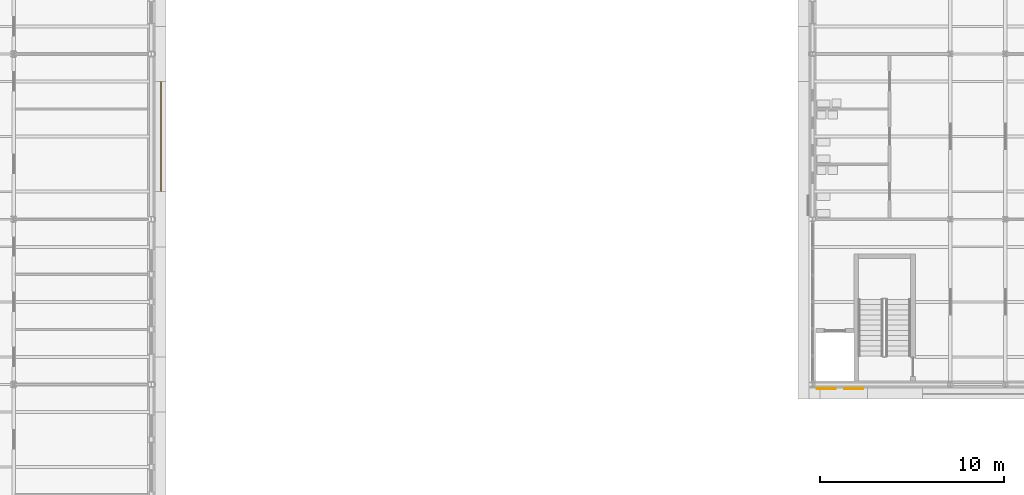
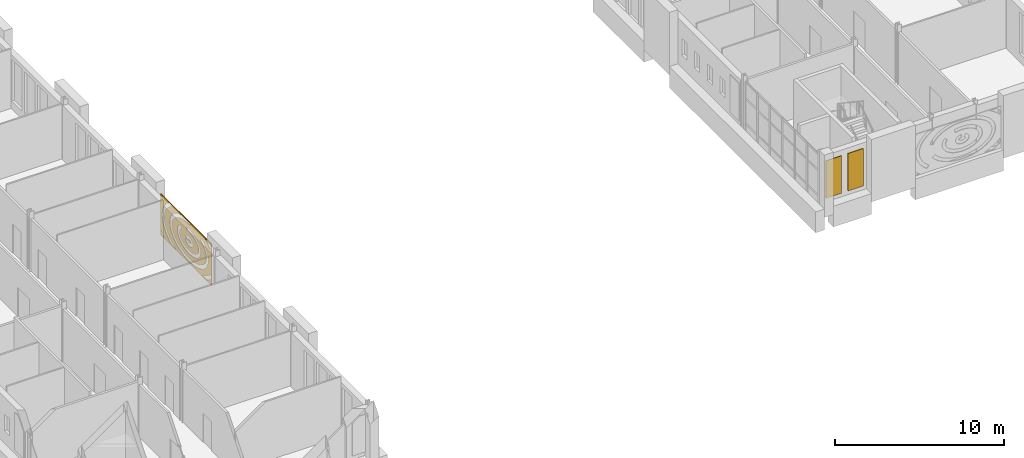
# One storey, part 108 of 131: 3 coverings.
"""IFC4 building model written with IfcOpenShell, lengths in metres."""

from ifc_helpers import new_model, si_unit, direction, frame, origin, place, context, subcontext, project, spatial, polyline, outline, extrude, material, layer, layer_set, type_object, element, save


model = new_model("IFC4")

# Units and contexts
model_context = context("Model", 3, precision=1e-05, world=origin(), true_north=direction((0.0, 1.0)))
body_context = subcontext(model_context, "Body", "Model", "MODEL_VIEW")
ifc_project = project(units=[si_unit("LENGTHUNIT", "METRE"), si_unit("AREAUNIT", "SQUARE_METRE"), si_unit("VOLUMEUNIT", "CUBIC_METRE"), si_unit("PLANEANGLEUNIT", "RADIAN"), si_unit("MASSUNIT", "GRAM", prefix="KILO")], contexts=[model_context])

# Site, building, storey
site_placement = place(None, origin())
site = spatial("IfcSite", under=ifc_project, at=site_placement, CompositionType="ELEMENT")
building_placement = place(site_placement, origin())
building = spatial("IfcBuilding", under=site, at=building_placement, Name="Golden Quay Civic Hall", CompositionType="ELEMENT")
storey_placement = place(building_placement, frame((0.0, 0.0, 9.89990234375)))
storey = spatial("IfcBuildingStorey", under=building, at=storey_placement, Name="L02", CompositionType="ELEMENT", Elevation=9.89990234375)

# Coverings
ifc_material_1 = material(Name="Aluminium, golden anodised, perforated", Category="aluminium")
ifc_layer_1 = layer(ifc_material_1, 0.0400390625)
ifc_layer_set_1 = layer_set([ifc_layer_1], Name="Perforated screen panel 6000 x 3000 x 40")
covering_type_1 = type_object("IfcCoveringType", Name="Perforated screen panel 6000 x 3000 x 40", PredefinedType="CLADDING", material=ifc_layer_set_1)
covering_1_placement = place(storey_placement, frame((18.5, 13.5, 2.10009765625), z_axis=(1.0, 0.0, 0.0), x_axis=(0.0, 1.0, 0.0)))
element("IfcCovering", 1, at=covering_1_placement, inside=storey, type_object=covering_type_1, Name="Perforated screen panel 6000 x 3000 x 40 L02 4", PredefinedType="CLADDING", context=body_context, shape_type="SweptSolid", body=[
    extrude(outline(polyline([(-3.0, -1.5), (3.0, -1.5), (3.0, 1.5), (-3.0, 1.5), (-3.0, -1.5)]), holes=[polyline([(-0.144775390625, 0.115478515625), (-0.1865234375, 0.142333984375), (-0.247802734375, 0.164306640625), (-0.3212890625, 0.175537109375), (-0.372802734375, 0.17578125), (-0.447021484375, 0.16552734375), (-0.509521484375, 0.144287109375), (-0.552978515625, 0.117431640625), (-0.5693359375, 0.100830078125), (-0.576904296875, 0.0888671875), (-0.5791015625, 0.077392578125), (-0.5732421875, 0.064208984375), (-0.560302734375, 0.04931640625), (-0.53759765625, 0.031494140625), (-0.485595703125, 0.006103515625), (-0.417236328125, -0.01123046875), (-0.36669921875, -0.01611328125), (-0.3154296875, -0.01513671875), (-0.265869140625, -0.00830078125), (-0.220703125, 0.00390625), (-0.1826171875, 0.019775390625), (-0.1533203125, 0.03759765625), (-0.128173828125, 0.062255859375), (-0.11865234375, 0.080810546875), (0.100830078125, -0.0185546875), (0.07275390625, -0.07080078125), (0.041015625, -0.110595703125), (-0.0048828125, -0.152099609375), (-0.04443359375, -0.178955078125), (-0.103271484375, -0.208984375), (-0.176513671875, -0.234619140625), (-0.221923828125, -0.2451171875), (-0.300048828125, -0.255615234375), (-0.372314453125, -0.257080078125), (-0.412109375, -0.254638671875), (-0.4970703125, -0.2412109375), (-0.56396484375, -0.221923828125), (-0.599365234375, -0.2080078125), (-0.6650390625, -0.173095703125), (-0.7041015625, -0.14501953125), (-0.73193359375, -0.1201171875), (-0.757080078125, -0.092041015625), (-0.779052734375, -0.061279296875), (-0.796875, -0.027587890625), (-0.81005859375, 0.00830078125), (-0.81982421875, 0.06640625), (-0.816650390625, 0.122802734375), (-0.8076171875, 0.159423828125), (-0.793701171875, 0.194091796875), (-0.775634765625, 0.226318359375), (-0.75390625, 0.255859375), (-0.701904296875, 0.306884765625), (-0.640869140625, 0.347412109375), (-0.572509765625, 0.37890625), (-0.498779296875, 0.40087890625), (-0.46044921875, 0.408447265625), (-0.388916015625, 0.416259765625), (-0.309326171875, 0.416259765625), (-0.2626953125, 0.411865234375), (-0.185302734375, 0.39697265625), (-0.11962890625, 0.375732421875), (-0.076904296875, 0.356689453125), (-0.020751953125, 0.32373046875), (0.01708984375, 0.2939453125), (0.05908203125, 0.24951171875), (-0.124755859375, 0.093994140625), (-0.144775390625, 0.115478515625)]), polyline([(-0.282470703125, 0.7333984375), (-0.37158203125, 0.734375), (-0.460693359375, 0.731201171875), (-0.549072265625, 0.72412109375), (-0.635986328125, 0.712646484375), (-0.721435546875, 0.697021484375), (-0.80419921875, 0.677734375), (-0.884033203125, 0.65478515625), (-0.96044921875, 0.628173828125), (-1.032958984375, 0.59814453125), (-1.10107421875, 0.565185546875), (-1.164306640625, 0.529296875), (-1.222412109375, 0.4912109375), (-1.274658203125, 0.45068359375), (-1.3212890625, 0.408935546875), (-1.36181640625, 0.36572265625), (-1.396240234375, 0.32177734375), (-1.424560546875, 0.277099609375), (-1.44677734375, 0.232421875), (-1.463134765625, 0.18798828125), (-1.4736328125, 0.1435546875), (-1.478759765625, 0.099609375), (-1.478515625, 0.055419921875), (-1.47265625, 0.010986328125), (-1.46142578125, -0.033203125), (-1.4443359375, -0.077880859375), (-1.42138671875, -0.122314453125), (-1.392578125, -0.1669921875), (-1.357421875, -0.210693359375), (-1.316162109375, -0.25390625), (-1.268798828125, -0.295654296875), (-1.2158203125, -0.335693359375), (-1.156982421875, -0.373779296875), (-1.09326171875, -0.4091796875), (-1.024658203125, -0.44189453125), (-0.95166015625, -0.471435546875), (-0.874755859375, -0.49755859375), (-0.79443359375, -0.520263671875), (-0.71142578125, -0.539306640625), (-0.6259765625, -0.55419921875), (-0.538818359375, -0.565185546875), (-0.4501953125, -0.572021484375), (-0.361083984375, -0.574462890625), (-0.27197265625, -0.572998046875), (-0.18310546875, -0.567138671875), (-0.095703125, -0.55712890625), (-0.009521484375, -0.543212890625), (0.07421875, -0.525390625), (0.1552734375, -0.503662109375), (0.23291015625, -0.478271484375), (0.306884765625, -0.449462890625), (0.376708984375, -0.41748046875), (0.441650390625, -0.3828125), (0.501708984375, -0.345458984375), (0.55615234375, -0.305908203125), (0.60498046875, -0.264404296875), (0.647705078125, -0.2216796875), (0.684326171875, -0.177978515625), (0.71484375, -0.133544921875), (0.7392578125, -0.0888671875), (0.7578125, -0.044189453125), (0.7705078125, 0.0), (0.777587890625, 0.04443359375), (0.779296875, 0.08837890625), (0.775390625, 0.132568359375), (0.76611328125, 0.177001953125), (0.75146484375, 0.221435546875), (0.730712890625, 0.26611328125), (0.703857421875, 0.310546875), (0.6708984375, 0.354736328125), (0.632080078125, 0.398193359375), (0.5869140625, 0.4404296875), (0.532470703125, 0.48388671875), (0.6826171875, 0.67236328125), (0.740966796875, 0.625732421875), (0.800537109375, 0.570556640625), (0.85400390625, 0.51171875), (0.900634765625, 0.44970703125), (0.9404296875, 0.384521484375), (0.97265625, 0.31689453125), (0.996826171875, 0.24658203125), (1.0126953125, 0.1748046875), (1.02001953125, 0.1015625), (1.01806640625, 0.028076171875), (1.007080078125, -0.045166015625), (0.987548828125, -0.1171875), (0.95947265625, -0.18701171875), (0.92333984375, -0.25439453125), (0.879638671875, -0.319091796875), (0.8291015625, -0.38037109375), (0.7646484375, -0.44482421875), (0.701416015625, -0.498046875), (0.639892578125, -0.542724609375), (0.558837890625, -0.59326171875), (0.48046875, -0.635009765625), (0.3974609375, -0.672607421875), (0.310791015625, -0.706298828125), (0.226806640625, -0.733642578125), (0.127685546875, -0.76025390625), (0.031982421875, -0.780517578125), (-0.065673828125, -0.79638671875), (-0.164794921875, -0.807373046875), (-0.264892578125, -0.813720703125), (-0.359619140625, -0.8154296875), (-0.460205078125, -0.8125), (-0.56005859375, -0.804931640625), (-0.65869140625, -0.792724609375), (-0.76171875, -0.77490234375), (-0.850830078125, -0.75439453125), (-0.943359375, -0.728515625), (-1.03271484375, -0.6982421875), (-1.118408203125, -0.663818359375), (-1.20703125, -0.62158203125), (-1.277587890625, -0.582275390625), (-1.350341796875, -0.53564453125), (-1.4248046875, -0.479248046875), (-1.4794921875, -0.43115234375), (-1.53515625, -0.37353515625), (-1.584228515625, -0.312744140625), (-1.626708984375, -0.248779296875), (-1.661865234375, -0.181884765625), (-1.68896484375, -0.112548828125), (-1.7080078125, -0.041259765625), (-1.71826171875, 0.031494140625), (-1.718994140625, 0.119873046875), (-1.709716796875, 0.192626953125), (-1.69580078125, 0.2509765625), (-1.670654296875, 0.32177734375), (-1.637451171875, 0.39013671875), (-1.596435546875, 0.455810546875), (-1.54833984375, 0.518310546875), (-1.493408203125, 0.577392578125), (-1.432373046875, 0.633056640625), (-1.3583984375, 0.68994140625), (-1.28662109375, 0.737060546875), (-1.209716796875, 0.7802734375), (-1.12841796875, 0.8193359375), (-1.04296875, 0.8544921875), (-0.9541015625, 0.88525390625), (-0.862060546875, 0.91162109375), (-0.767333984375, 0.93359375), (-0.67041015625, 0.951171875), (-0.57177734375, 0.9638671875), (-0.477783203125, 0.9716796875), (-0.377197265625, 0.97509765625), (-0.276611328125, 0.97412109375), (-0.176513671875, 0.96826171875), (-0.077392578125, 0.957763671875), (-0.10302734375, 0.71826171875), (-0.193603515625, 0.72802734375), (-0.282470703125, 0.7333984375)]), polyline([(-1.88671875, 0.86767578125), (-1.96875, 0.806640625), (-2.043701171875, 0.7431640625), (-2.111572265625, 0.67724609375), (-2.171875, 0.609619140625), (-2.224609375, 0.540283203125), (-2.269287109375, 0.469482421875), (-2.306640625, 0.398193359375), (-2.336181640625, 0.326171875), (-2.35791015625, 0.25390625), (-2.3720703125, 0.18115234375), (-2.37890625, 0.1083984375), (-2.3779296875, 0.03564453125), (-2.36962890625, -0.037109375), (-2.353759765625, -0.109619140625), (-2.330322265625, -0.181884765625), (-2.29931640625, -0.25390625), (-2.26025390625, -0.3251953125), (-2.213623046875, -0.3955078125), (-2.1591796875, -0.46435546875), (-2.097412109375, -0.53173828125), (-2.028076171875, -0.59716796875), (-1.951416015625, -0.66015625), (-1.8681640625, -0.720458984375), (-1.778076171875, -0.777587890625), (-1.681884765625, -0.831298828125), (-1.579833984375, -0.88134765625), (-1.472412109375, -0.927490234375), (-1.3603515625, -0.969482421875), (-1.24365234375, -1.007080078125), (-1.123046875, -1.039794921875), (-0.999267578125, -1.06787109375), (-0.872314453125, -1.091064453125), (-0.743408203125, -1.109130859375), (-0.61279296875, -1.122314453125), (-0.480712890625, -1.1298828125), (-0.348388671875, -1.132568359375), (-0.2158203125, -1.1298828125), (-0.083984375, -1.121826171875), (0.046630859375, -1.10888671875), (0.175537109375, -1.090576171875), (0.30224609375, -1.0673828125), (0.426025390625, -1.0390625), (0.546630859375, -1.006103515625), (0.6630859375, -0.968505859375), (0.775390625, -0.926513671875), (0.882568359375, -0.880126953125), (0.984375, -0.830078125), (1.080322265625, -0.776123046875), (1.17041015625, -0.718994140625), (1.25341796875, -0.65869140625), (1.329833984375, -0.595703125), (1.39892578125, -0.5302734375), (1.460693359375, -0.462646484375), (1.514892578125, -0.393798828125), (1.561279296875, -0.3232421875), (1.60009765625, -0.251953125), (1.631103515625, -0.18017578125), (1.654296875, -0.107666015625), (1.669921875, -0.03515625), (1.677978515625, 0.03759765625), (1.6787109375, 0.1103515625), (1.671875, 0.18310546875), (1.657470703125, 0.255615234375), (1.635498046875, 0.327880859375), (1.605712890625, 0.39990234375), (1.568359375, 0.471435546875), (1.523193359375, 0.5419921875), (1.470458984375, 0.611083984375), (1.409912109375, 0.678955078125), (1.342041015625, 0.744873046875), (1.266845703125, 0.80810546875), (1.184814453125, 0.869140625), (1.095947265625, 0.9267578125), (1.0009765625, 0.981201171875), (0.89990234375, 1.031982421875), (0.793701171875, 1.0791015625), (0.682373046875, 1.12158203125), (0.56640625, 1.16015625), (0.446533203125, 1.19384765625), (0.3232421875, 1.222900390625), (0.197021484375, 1.2470703125), (0.068359375, 1.26611328125), (-0.06201171875, 1.280029296875), (-0.19384765625, 1.288818359375), (-0.326171875, 1.29248046875), (-0.4609375, 1.290771484375), (-0.462890625, 1.43994140625), (0.452392578125, 1.43994140625), (0.639404296875, 1.3896484375), (0.765869140625, 1.34765625), (0.88818359375, 1.300537109375), (1.0, 1.251220703125), (1.112060546875, 1.195068359375), (1.21875, 1.13427734375), (1.319091796875, 1.069091796875), (1.413330078125, 0.99951171875), (1.50048828125, 0.92626953125), (1.580810546875, 0.84912109375), (1.6533203125, 0.768310546875), (1.7177734375, 0.68408203125), (1.774169921875, 0.596923828125), (1.826416015625, 0.496826171875), (1.8603515625, 0.414306640625), (1.8896484375, 0.31982421875), (1.909423828125, 0.223876953125), (1.919189453125, 0.126708984375), (1.918212890625, 0.016845703125), (1.90673828125, -0.080078125), (1.885498046875, -0.17578125), (1.8544921875, -0.27001953125), (1.819091796875, -0.352294921875), (1.765380859375, -0.45166015625), (1.70751953125, -0.538330078125), (1.6416015625, -0.6220703125), (1.567626953125, -0.7021484375), (1.492431640625, -0.7734375), (1.39794921875, -0.8515625), (1.302734375, -0.920166015625), (1.201171875, -0.984619140625), (1.09375, -1.044921875), (0.980712890625, -1.100341796875), (0.862548828125, -1.15087890625), (0.73974609375, -1.197021484375), (0.61279296875, -1.23779296875), (0.482177734375, -1.2734375), (0.348388671875, -1.3037109375), (0.216796875, -1.327880859375), (0.072998046875, -1.348388671875), (-0.067138671875, -1.3623046875), (-0.20849609375, -1.37060546875), (-0.3505859375, -1.373291015625), (-0.49267578125, -1.37060546875), (-0.634033203125, -1.362060546875), (-0.7744140625, -1.34814453125), (-0.908447265625, -1.329345703125), (-1.044921875, -1.304443359375), (-1.178955078125, -1.274169921875), (-1.3095703125, -1.23876953125), (-1.4365234375, -1.197998046875), (-1.5595703125, -1.152099609375), (-1.677734375, -1.1015625), (-1.791015625, -1.046142578125), (-1.898681640625, -0.986083984375), (-2.000244140625, -0.921875), (-2.095703125, -0.853271484375), (-2.184326171875, -0.780517578125), (-2.265869140625, -0.7041015625), (-2.33984375, -0.6240234375), (-2.41162109375, -0.53271484375), (-2.4638671875, -0.453857421875), (-2.51318359375, -0.364501953125), (-2.5537109375, -0.2724609375), (-2.584716796875, -0.17822265625), (-2.6083984375, -0.0703125), (-2.618896484375, 0.02685546875), (-2.619384765625, 0.124267578125), (-2.609619140625, 0.221435546875), (-2.59033203125, 0.3173828125), (-2.561279296875, 0.412109375), (-2.522705078125, 0.504638671875), (-2.475341796875, 0.5947265625), (-2.425048828125, 0.673828125), (-2.35498046875, 0.76611328125), (-2.282470703125, 0.846923828125), (-2.20263671875, 0.92431640625), (-2.115478515625, 0.997802734375), (-2.021484375, 1.0673828125), (-1.921142578125, 1.132568359375), (-1.820556640625, 1.1904296875), (-1.700439453125, 0.981689453125), (-1.798095703125, 0.92529296875), (-1.88671875, 0.86767578125)]), polyline([(-2.93994140625, -0.741455078125), (-2.840576171875, -0.847412109375), (-2.751953125, -0.928955078125), (-2.65576171875, -1.0078125), (-2.55224609375, -1.08349609375), (-2.441650390625, -1.155517578125), (-2.32470703125, -1.224365234375), (-2.201171875, -1.2890625), (-2.072021484375, -1.349609375), (-1.937255859375, -1.40576171875), (-1.84423828125, -1.43994140625), (-2.431884765625, -1.43994140625), (-2.571044921875, -1.35888671875), (-2.686767578125, -1.283203125), (-2.800537109375, -1.2001953125), (-2.93994140625, -1.083251953125), (-2.93994140625, -0.741455078125)]), polyline([(1.144775390625, -1.43994140625), (1.307373046875, -1.377197265625), (1.439208984375, -1.31884765625), (1.565673828125, -1.256103515625), (1.685791015625, -1.189453125), (1.799560546875, -1.118896484375), (1.906494140625, -1.044921875), (2.00634765625, -0.967529296875), (2.0986328125, -0.88720703125), (2.183349609375, -0.804443359375), (2.260009765625, -0.71923828125), (2.328857421875, -0.632080078125), (2.389404296875, -0.543212890625), (2.441650390625, -0.452880859375), (2.4853515625, -0.361572265625), (2.52099609375, -0.26953125), (2.5478515625, -0.1767578125), (2.566650390625, -0.08349609375), (2.5771484375, 0.009765625), (2.5791015625, 0.103271484375), (2.572998046875, 0.19677734375), (2.558349609375, 0.2900390625), (2.535400390625, 0.3828125), (2.50439453125, 0.475341796875), (2.464599609375, 0.567138671875), (2.416748046875, 0.657958984375), (2.3603515625, 0.74755859375), (2.295654296875, 0.835693359375), (2.222900390625, 0.921875), (2.14208984375, 1.005859375), (2.0537109375, 1.08740234375), (1.95751953125, 1.166259765625), (1.854248046875, 1.241943359375), (1.743896484375, 1.314208984375), (1.626953125, 1.383056640625), (1.518310546875, 1.43994140625), (1.991455078125, 1.43994140625), (2.10791015625, 1.3544921875), (2.21435546875, 1.266845703125), (2.3134765625, 1.17529296875), (2.404541015625, 1.080078125), (2.487548828125, 0.9814453125), (2.56201171875, 0.87939453125), (2.62744140625, 0.7744140625), (2.683837890625, 0.6669921875), (2.73095703125, 0.55712890625), (2.768310546875, 0.4453125), (2.795654296875, 0.332275390625), (2.81298828125, 0.218017578125), (2.820068359375, 0.103271484375), (2.817138671875, -0.01171875), (2.803955078125, -0.1259765625), (2.780517578125, -0.239501953125), (2.74755859375, -0.351318359375), (2.70458984375, -0.461669921875), (2.65234375, -0.569580078125), (2.5908203125, -0.675048828125), (2.525634765625, -0.77099609375), (2.441650390625, -0.877685546875), (2.3544921875, -0.973876953125), (2.25927734375, -1.06689453125), (2.156494140625, -1.15576171875), (2.051513671875, -1.2373046875), (1.92919921875, -1.322021484375), (1.810302734375, -1.3955078125), (1.730712890625, -1.43994140625), (1.144775390625, -1.43994140625)]), polyline([(-2.217529296875, 1.43994140625), (-2.383544921875, 1.3505859375), (-2.49755859375, 1.2802734375), (-2.6044921875, 1.206298828125), (-2.70458984375, 1.12890625), (-2.7998046875, 1.04638671875), (-2.93994140625, 1.208251953125), (-2.93994140625, 1.24365234375), (-2.8544921875, 1.3173828125), (-2.749267578125, 1.398681640625), (-2.68994140625, 1.43994140625), (-2.217529296875, 1.43994140625)]), polyline([(2.615966796875, -1.388671875), (2.72998046875, -1.299072265625), (2.8369140625, -1.20654296875), (2.93994140625, -1.106689453125), (2.93994140625, -1.43603515625), (2.935302734375, -1.43994140625), (2.543701171875, -1.43994140625), (2.615966796875, -1.388671875)]), polyline([(2.899169921875, 1.3076171875), (2.797119140625, 1.402099609375), (2.751708984375, 1.43994140625), (2.93994140625, 1.43994140625), (2.93994140625, 1.265625), (2.899169921875, 1.3076171875)])]), origin(), (0.0, 0.0, 1.0), 0.0400390625),
])
ifc_material_2 = material(Name="Terracotta cladding, golden glaze", Category="masonry")
ifc_layer_2 = layer(ifc_material_2, 0.050048828125)
ifc_layer_set_2 = layer_set([ifc_layer_2], Name="Terracotta solid panel 1050 x 2700 x 50")
covering_type_2 = type_object("IfcCoveringType", Name="Terracotta solid panel 1050 x 2700 x 50", PredefinedType="CLADDING", material=ifc_layer_set_2)
covering_2_placement = place(storey_placement, frame((0.0, 0.0, 0.900146484375)))
element("IfcCovering", 2, at=covering_2_placement, inside=storey, type_object=covering_type_2, Name="Terracotta solid panel 1050 x 2700 x 50 L02 24", PredefinedType="CLADDING", context=body_context, shape_type="SweptSolid", body=[
    extrude(outline(polyline([(54.22509765625, -0.199951171875), (55.27490234375, -0.199951171875), (55.27490234375, -0.25), (54.22509765625, -0.25), (54.22509765625, -0.199951171875)])), origin(), (0.0, 0.0, 1.0), 2.699951171875),
])
covering_3_placement = place(storey_placement, frame((0.0, 0.0, 0.900146484375)))
element("IfcCovering", 3, at=covering_3_placement, inside=storey, type_object=covering_type_2, Name="Terracotta solid panel 1050 x 2700 x 50 L02 25", PredefinedType="CLADDING", context=body_context, shape_type="SweptSolid", body=[
    extrude(outline(polyline([(55.72509765625, -0.199951171875), (56.77490234375, -0.199951171875), (56.77490234375, -0.25), (55.72509765625, -0.25), (55.72509765625, -0.199951171875)])), origin(), (0.0, 0.0, 1.0), 2.699951171875),
])

save(model, "model.ifc")
